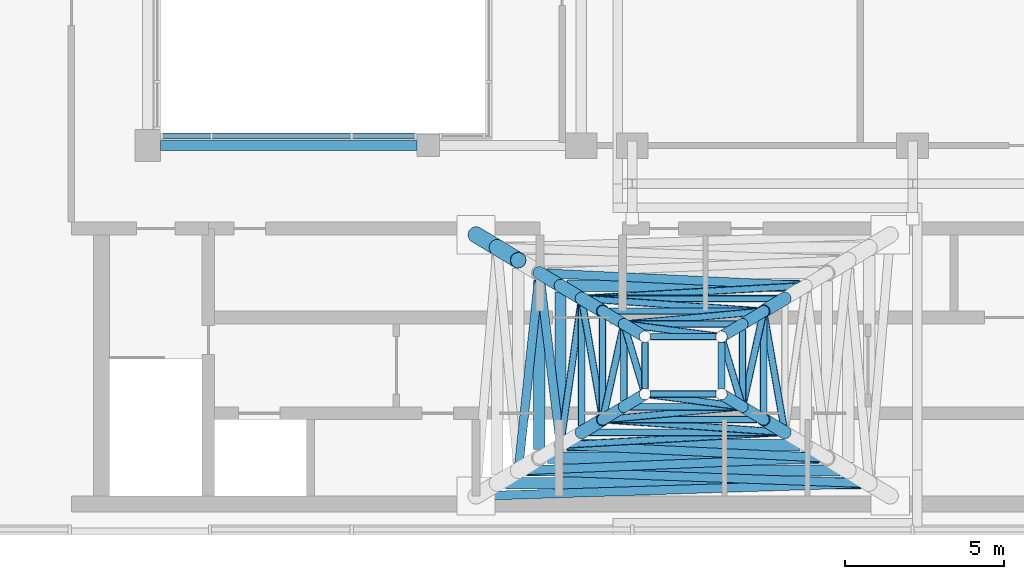
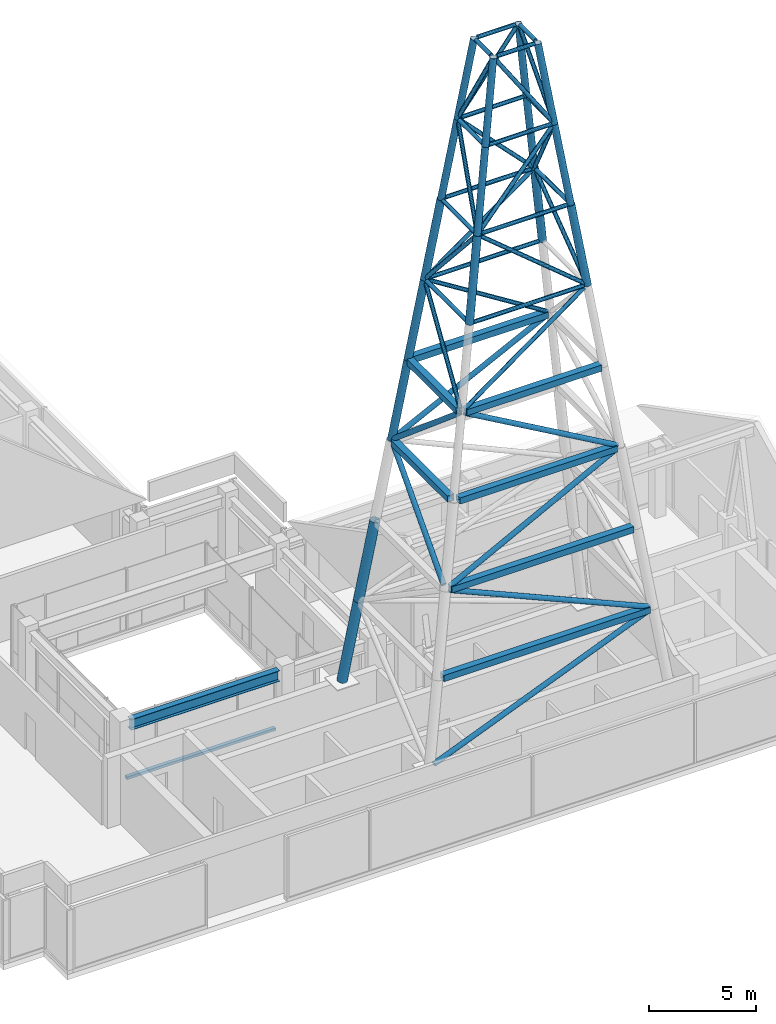
# One storey, part 3 of 13: 61 members, 1 beam, 1 element without a shape of its own.
"""IFC4 building model written with IfcOpenShell, lengths in metres."""

from ifc_helpers import new_model, si_unit, direction, frame, origin, origin_2d, place, context, subcontext, project, spatial, rectangle, hollow_rectangle, hollow_circle, i_section, extrude, material, material_profile, profile_set, type_object, element, aggregate, save


model = new_model("IFC4")

# Units and contexts
model_context = context("Model", 3, precision=1e-05, world=origin(), true_north=direction((0.0, 1.0)))
body_context = subcontext(model_context, "Body", "Model", "MODEL_VIEW")
ifc_project = project(units=[si_unit("LENGTHUNIT", "METRE"), si_unit("AREAUNIT", "SQUARE_METRE"), si_unit("VOLUMEUNIT", "CUBIC_METRE"), si_unit("PLANEANGLEUNIT", "RADIAN"), si_unit("MASSUNIT", "GRAM", prefix="KILO")], contexts=[model_context])

# Site, building, storey
site_placement = place(None, origin())
site = spatial("IfcSite", under=ifc_project, at=site_placement, CompositionType="ELEMENT")
building_placement = place(site_placement, origin())
building = spatial("IfcBuilding", under=site, at=building_placement, Name="Kemantara Hotel Tower", CompositionType="ELEMENT")
storey_placement = place(building_placement, frame((0.0, 0.0, 330.199951171875)))
storey = spatial("IfcBuildingStorey", under=building, at=storey_placement, Name="L83", CompositionType="ELEMENT", Elevation=330.199951171875)

# Curtain wall, member
ifc_material_1 = material(Name="Clear low-iron laminated glass 36 mm", Category="glass")
curtain_wall_type = type_object("IfcCurtainWallType", Name="ATRIUM GLAZING WALL", PredefinedType="USERDEFINED", material=ifc_material_1)
curtain_wall_placement = place(storey_placement, origin())
curtain_wall = element("IfcCurtainWall", 1, at=curtain_wall_placement, inside=storey, type_object=curtain_wall_type, Name="CW5 L83 ATR-R2-2", ObjectType="ATRIUM GLAZING WALL", PredefinedType="USERDEFINED")
ifc_material_2 = material(Name="Aluminium 6063-T6 bronze anodised", Category="aluminium")
ifc_material_profile_1 = material_profile(ifc_material_2, rectangle(XDim=0.199951171875, YDim=0.14990234375, at=origin_2d()), Name="ATRIUM GLAZING WALL TRANSOM")
ifc_profile_set_1 = profile_set([ifc_material_profile_1], Name="Aluminium 6063-T6 bronze anodised")
member_type_1 = type_object("IfcMemberType", Name="ATRIUM GLAZING WALL TRANSOM", PredefinedType="USERDEFINED", material=ifc_profile_set_1)
member_1_placement = place(storey_placement, frame((20.64990234375, 12.5, 0.074951171875), z_axis=(-1.0, 0.0, 0.0), x_axis=(0.0, -1.0, 0.0)))
member_1 = element("IfcMember", 2, at=member_1_placement, type_object=member_type_1, Name="CW5 sill transom ATR-R2-2", ObjectType="TRANSOM", PredefinedType="USERDEFINED", context=body_context, shape_type="SweptSolid", body=[
    extrude(rectangle(XDim=0.199951171875, YDim=0.14990234375, at=origin_2d()), origin(), (0.0, 0.0, 1.0), 8.0498046875),
])
aggregate(curtain_wall, [member_1])

# Beam
ifc_material_3 = material(Name="Steel ASTM A992 Grade 50", Category="steel")
ifc_material_profile_2 = material_profile(ifc_material_3, i_section(OverallWidth=0.324951171875, OverallDepth=0.612060546875, WebThickness=0.0126953125, FlangeThickness=0.01904296875, at=origin_2d()), Name="W610X155")
ifc_profile_set_2 = profile_set([ifc_material_profile_2], Name="Steel ASTM A992 Grade 50")
beam_type = type_object("IfcBeamType", Name="ATRIUM ROOF GIRDER W610X155", PredefinedType="BEAM", material=ifc_profile_set_2)
beam_placement = place(storey_placement, frame((12.60009765625, 12.199951171875, 3.343994140625), z_axis=(1.0, 0.0, 0.0), x_axis=(0.0, 1.0, 0.0)))
element("IfcBeam", 3, at=beam_placement, inside=storey, type_object=beam_type, Name="ATRIUM ROOF GIRDER 1-1", PredefinedType="BEAM", context=body_context, shape_type="SweptSolid", body=[
    extrude(i_section(OverallWidth=0.324951171875, OverallDepth=0.612060546875, WebThickness=0.0126953125, FlangeThickness=0.01904296875, at=origin_2d()), origin(), (0.0, 0.0, 1.0), 8.0498046875),
])

# Members
ifc_material_4 = material(Name="Steel ASTM A500 Grade C", Category="steel")
ifc_material_profile_3 = material_profile(ifc_material_4, hollow_circle(Radius=0.109619140625, WallThickness=0.0126953125, at=origin_2d()), Name="HSS219.1X12.7")
ifc_profile_set_3 = profile_set([ifc_material_profile_3], Name="Steel ASTM A500 Grade C")
member_type_2 = type_object("IfcMemberType", Name="MAST BRACE HSS219.1X12.7", PredefinedType="BRACE", material=ifc_profile_set_3)
for number, where, z_axis, x_axis, name in (
    (4, (25.31982421875, 2.8095703125, 22.581298828125), (0.835822969505, 0.047528024802, 0.546937885418), (-0.056772034018, 0.998387167462, 0.0), "MAST BRACE 1 PANEL 5"),
    (5, (32.68017578125, 7.790283203125, 22.581298828125), (-0.835824179409, -0.047497626875, 0.546938677144), (0.056735758871, -0.998389229542, 0.0), "MAST BRACE 3 PANEL 5"),
):
    element("IfcMember", number, at=place(storey_placement, frame(where, z_axis=z_axis, x_axis=x_axis)), inside=storey, type_object=member_type_2, Name=name, PredefinedType="BRACE", context=body_context, shape_type="SweptSolid", body=[
        extrude(hollow_circle(Radius=0.109619140625, WallThickness=0.0126953125, at=origin_2d()), origin(), (0.0, 0.0, 1.0), 8.013427734375),
    ])
member_2_placement = place(storey_placement, frame((25.170654296875, 2.94287109375, 22.61328125), z_axis=(0.101257678555, 0.703074435264, 0.703870173406), x_axis=(-0.989787535165, 0.142550465565, 0.0)))
element("IfcMember", 6, at=member_2_placement, inside=storey, type_object=member_type_2, Name="MAST BRACE 4 PANEL 5", PredefinedType="BRACE", context=body_context, shape_type="SweptSolid", body=[
    extrude(hollow_circle(Radius=0.109619140625, WallThickness=0.0126953125, at=origin_2d()), origin(), (0.0, 0.0, 1.0), 6.13623046875),
])
member_3_placement = place(storey_placement, frame((32.029541015625, 3.211181640625, 27.20263671875), z_axis=(-0.777377064171, 0.054406547153, 0.62667761068), x_axis=(-0.069816552831, -0.997559847303, 0.0)))
element("IfcMember", 7, at=member_3_placement, inside=storey, type_object=member_type_2, Name="MAST BRACE 1 PANEL 6", PredefinedType="BRACE", context=body_context, shape_type="SweptSolid", body=[
    extrude(hollow_circle(Radius=0.109619140625, WallThickness=0.0126953125, at=origin_2d()), origin(), (0.0, 0.0, 1.0), 6.94189453125),
])
member_4_placement = place(storey_placement, frame((32.1650390625, 3.32861328125, 27.231201171875), z_axis=(-0.11028835497, 0.632566924494, 0.766613047629), x_axis=(-0.985138918787, -0.171759455898, 0.0)))
element("IfcMember", 8, at=member_4_placement, inside=storey, type_object=member_type_2, Name="MAST BRACE 2 PANEL 6", PredefinedType="BRACE", context=body_context, shape_type="SweptSolid", body=[
    extrude(hollow_circle(Radius=0.109619140625, WallThickness=0.0126953125, at=origin_2d()), origin(), (0.0, 0.0, 1.0), 5.6005859375),
])
member_5_placement = place(storey_placement, frame((25.970458984375, 7.388916015625, 27.20263671875), z_axis=(0.77737557624, -0.054441612017, 0.626676411194), x_axis=(0.069861462924, 0.997556703149, 0.0)))
element("IfcMember", 9, at=member_5_placement, inside=storey, type_object=member_type_2, Name="MAST BRACE 3 PANEL 6", PredefinedType="BRACE", context=body_context, shape_type="SweptSolid", body=[
    extrude(hollow_circle(Radius=0.109619140625, WallThickness=0.0126953125, at=origin_2d()), origin(), (0.0, 0.0, 1.0), 6.94189453125),
])
member_6_placement = place(storey_placement, frame((25.8349609375, 7.271484375, 27.231201171875), z_axis=(0.110285313789, -0.63259307261, 0.766591908415), x_axis=(0.985140921404, 0.171747969346, 0.0)))
element("IfcMember", 10, at=member_6_placement, inside=storey, type_object=member_type_2, Name="MAST BRACE 4 PANEL 6", PredefinedType="BRACE", context=body_context, shape_type="SweptSolid", body=[
    extrude(hollow_circle(Radius=0.109619140625, WallThickness=0.0126953125, at=origin_2d()), origin(), (0.0, 0.0, 1.0), 5.6005859375),
])
member_7_placement = place(storey_placement, frame((26.597412109375, 3.611083984375, 31.808837890625), z_axis=(0.688425074834, 0.062764827367, 0.72258666801), x_axis=(-0.090795041921, 0.995869600079, 0.0)))
element("IfcMember", 11, at=member_7_placement, inside=storey, type_object=member_type_2, Name="MAST BRACE 1 PANEL 7", PredefinedType="BRACE", context=body_context, shape_type="SweptSolid", body=[
    extrude(hollow_circle(Radius=0.109619140625, WallThickness=0.0126953125, at=origin_2d()), origin(), (0.0, 0.0, 1.0), 6.017578125),
])
member_8_placement = place(storey_placement, frame((31.503662109375, 6.903564453125, 31.828369140625), z_axis=(-0.119666604135, -0.541916744524, 0.831869067738), x_axis=(0.976475936, -0.215626404723, 0.0)))
element("IfcMember", 12, at=member_8_placement, inside=storey, type_object=member_type_2, Name="MAST BRACE 2 PANEL 7", PredefinedType="BRACE", context=body_context, shape_type="SweptSolid", body=[
    extrude(hollow_circle(Radius=0.109619140625, WallThickness=0.0126953125, at=origin_2d()), origin(), (0.0, 0.0, 1.0), 5.179931640625),
])
member_9_placement = place(storey_placement, frame((31.402587890625, 6.98876953125, 31.808837890625), z_axis=(-0.688425074834, -0.062764827367, 0.72258666801), x_axis=(0.090795041921, -0.995869600079, 0.0)))
element("IfcMember", 13, at=member_9_placement, inside=storey, type_object=member_type_2, Name="MAST BRACE 3 PANEL 7", PredefinedType="BRACE", context=body_context, shape_type="SweptSolid", body=[
    extrude(hollow_circle(Radius=0.109619140625, WallThickness=0.0126953125, at=origin_2d()), origin(), (0.0, 0.0, 1.0), 6.017578125),
])
member_10_placement = place(storey_placement, frame((26.496337890625, 3.6962890625, 31.828369140625), z_axis=(0.11966354768, 0.541950033388, 0.831847820619), x_axis=(-0.976479884108, 0.21560852472, 0.0)))
element("IfcMember", 14, at=member_10_placement, inside=storey, type_object=member_type_2, Name="MAST BRACE 4 PANEL 7", PredefinedType="BRACE", context=body_context, shape_type="SweptSolid", body=[
    extrude(hollow_circle(Radius=0.109619140625, WallThickness=0.0126953125, at=origin_2d()), origin(), (0.0, 0.0, 1.0), 5.18017578125),
])
member_11_placement = place(storey_placement, frame((30.764404296875, 4.012939453125, 36.43310546875), z_axis=(-0.552321631774, 0.072121725853, 0.83050543149), x_axis=(-0.129480004832, -0.991582033091, 0.0)))
element("IfcMember", 15, at=member_11_placement, inside=storey, type_object=member_type_2, Name="MAST BRACE 1 PANEL 8", PredefinedType="BRACE", context=body_context, shape_type="SweptSolid", body=[
    extrude(hollow_circle(Radius=0.109619140625, WallThickness=0.0126953125, at=origin_2d()), origin(), (0.0, 0.0, 1.0), 5.189453125),
])
member_12_placement = place(storey_placement, frame((30.839599609375, 4.075927734375, 36.444580078125), z_axis=(-0.128724430331, 0.427501680935, 0.894802958105), x_axis=(-0.957533629599, -0.28832160548, 0.0)))
element("IfcMember", 16, at=member_12_placement, inside=storey, type_object=member_type_2, Name="MAST BRACE 2 PANEL 8", PredefinedType="BRACE", context=body_context, shape_type="SweptSolid", body=[
    extrude(hollow_circle(Radius=0.109619140625, WallThickness=0.0126953125, at=origin_2d()), origin(), (0.0, 0.0, 1.0), 4.790771484375),
])
member_13_placement = place(storey_placement, frame((27.235595703125, 6.587158203125, 36.43310546875), z_axis=(0.552321631774, -0.072121725853, 0.83050543149), x_axis=(0.129480004832, 0.991582033091, 0.0)))
element("IfcMember", 17, at=member_13_placement, inside=storey, type_object=member_type_2, Name="MAST BRACE 3 PANEL 8", PredefinedType="BRACE", context=body_context, shape_type="SweptSolid", body=[
    extrude(hollow_circle(Radius=0.109619140625, WallThickness=0.0126953125, at=origin_2d()), origin(), (0.0, 0.0, 1.0), 5.189453125),
])
member_14_placement = place(storey_placement, frame((27.160400390625, 6.52392578125, 36.444580078125), z_axis=(0.128727234568, -0.427460033078, 0.894822451217), x_axis=(0.957524139529, 0.288353120702, 0.0)))
element("IfcMember", 18, at=member_14_placement, inside=storey, type_object=member_type_2, Name="MAST BRACE 4 PANEL 8", PredefinedType="BRACE", context=body_context, shape_type="SweptSolid", body=[
    extrude(hollow_circle(Radius=0.109619140625, WallThickness=0.0126953125, at=origin_2d()), origin(), (0.0, 0.0, 1.0), 4.790771484375),
])
ifc_material_profile_4 = material_profile(ifc_material_4, hollow_circle(Radius=0.136474609375, WallThickness=0.0126953125, at=origin_2d()), Name="HSS273.1X12.7")
ifc_profile_set_4 = profile_set([ifc_material_profile_4], Name="Steel ASTM A500 Grade C")
member_type_3 = type_object("IfcMemberType", Name="MAST BRACE HSS273.1X12.7", PredefinedType="BRACE", material=ifc_profile_set_4)
member_15_placement = place(storey_placement, frame((22.73779296875, 1.207763671875, 4.138916015625), z_axis=(0.936433595645, 0.030356129608, 0.349529149488), x_axis=(-0.032399726483, 0.999474991045, 0.0)))
element("IfcMember", 19, at=member_15_placement, inside=storey, type_object=member_type_3, Name="MAST BRACE 1 PANEL 1", PredefinedType="BRACE", context=body_context, shape_type="SweptSolid", body=[
    extrude(hollow_circle(Radius=0.136474609375, WallThickness=0.0126953125, at=origin_2d()), origin(), (0.0, 0.0, 1.0), 12.6669921875),
])
member_16_placement = place(storey_placement, frame((34.603271484375, 1.6083984375, 8.7529296875), z_axis=(-0.922065420584, 0.033498208875, 0.385581677683), x_axis=(-0.036305585188, -0.999340734927, 0.0)))
element("IfcMember", 20, at=member_16_placement, inside=storey, type_object=member_type_3, Name="MAST BRACE 1 PANEL 2", PredefinedType="BRACE", context=body_context, shape_type="SweptSolid", body=[
    extrude(hollow_circle(Radius=0.136474609375, WallThickness=0.0126953125, at=origin_2d()), origin(), (0.0, 0.0, 1.0), 11.43505859375),
])
member_17_placement = place(storey_placement, frame((24.05419921875, 2.009521484375, 13.369140625), z_axis=(0.902519933262, 0.037268758685, 0.429032411003), x_axis=(-0.041258948951, 0.999148487029, 0.0)))
element("IfcMember", 21, at=member_17_placement, inside=storey, type_object=member_type_3, Name="MAST BRACE 1 PANEL 3", PredefinedType="BRACE", context=body_context, shape_type="SweptSolid", body=[
    extrude(hollow_circle(Radius=0.136474609375, WallThickness=0.0126953125, at=origin_2d()), origin(), (0.0, 0.0, 1.0), 10.225830078125),
])
member_18_placement = place(storey_placement, frame((23.8466796875, 2.203125, 13.4111328125), z_axis=(0.085475550633, 0.799850272896, 0.594082040793), x_axis=(-0.994338441247, 0.10625941962, 0.0)))
element("IfcMember", 22, at=member_18_placement, inside=storey, type_object=member_type_3, Name="MAST BRACE 4 PANEL 3", PredefinedType="BRACE", context=body_context, shape_type="SweptSolid", body=[
    extrude(hollow_circle(Radius=0.136474609375, WallThickness=0.0126953125, at=origin_2d()), origin(), (0.0, 0.0, 1.0), 7.243408203125),
])
for number, where, z_axis, x_axis, name in (
    (23, (33.334716796875, 2.408447265625, 17.963134765625), (-0.875197227129, 0.041870485711, 0.481950906268), (-0.047786544947, -0.998857570488, 0.0), "MAST BRACE 1 PANEL 4"),
    (24, (24.665283203125, 8.19140625, 17.963134765625), (0.875198204729, -0.041843846354, 0.481951444609), (0.047756157742, 0.998859023786, 0.0), "MAST BRACE 3 PANEL 4"),
):
    element("IfcMember", number, at=place(storey_placement, frame(where, z_axis=z_axis, x_axis=x_axis)), inside=storey, type_object=member_type_3, Name=name, PredefinedType="BRACE", context=body_context, shape_type="SweptSolid", body=[
        extrude(hollow_circle(Radius=0.136474609375, WallThickness=0.0126953125, at=origin_2d()), origin(), (0.0, 0.0, 1.0), 9.148681640625),
    ])
member_19_placement = place(storey_placement, frame((24.50634765625, 8.046142578125, 17.99658203125), z_axis=(0.092948168292, -0.757605664024, 0.64606059766), x_axis=(0.992557891615, 0.121773690893, 0.0)))
element("IfcMember", 25, at=member_19_placement, inside=storey, type_object=member_type_3, Name="MAST BRACE 4 PANEL 4", PredefinedType="BRACE", context=body_context, shape_type="SweptSolid", body=[
    extrude(hollow_circle(Radius=0.136474609375, WallThickness=0.0126953125, at=origin_2d()), origin(), (0.0, 0.0, 1.0), 6.721435546875),
])
ifc_material_profile_5 = material_profile(ifc_material_4, hollow_circle(Radius=0.177734375, WallThickness=0.0126953125, at=origin_2d()), Name="HSS355.6X12.7")
ifc_profile_set_5 = profile_set([ifc_material_profile_5], Name="Steel ASTM A500 Grade C")
member_type_4 = type_object("IfcMemberType", Name="MAST LEG HSS355.6X12.7", PredefinedType="POST", material=ifc_profile_set_5)
for number, where, z_axis, x_axis, name in (
    (26, (26.47509765625, 3.60009765625, 31.680419921875), (0.141845965247, 0.085640873968, 0.986177145775), (-0.516860372783, 0.856069713894, 0.0), "MAST LEG 1 PANEL 7"),
    (27, (31.52490234375, 3.60009765625, 31.680419921875), (-0.141845965247, 0.085640873968, 0.986177145775), (-0.516860372783, -0.856069713894, 0.0), "MAST LEG 2 PANEL 7"),
    (28, (31.52490234375, 7.0, 31.680419921875), (-0.141845965247, -0.085640873968, 0.986177145775), (0.516860372783, -0.856069713894, 0.0), "MAST LEG 3 PANEL 7"),
    (29, (26.47509765625, 7.0, 31.680419921875), (0.141845965247, -0.085640873968, 0.986177145775), (0.516860372783, 0.856069713894, 0.0), "MAST LEG 4 PANEL 7"),
):
    element("IfcMember", number, at=place(storey_placement, frame(where, z_axis=z_axis, x_axis=x_axis)), inside=storey, type_object=member_type_4, Name=name, PredefinedType="POST", context=body_context, shape_type="SweptSolid", body=[
        extrude(hollow_circle(Radius=0.177734375, WallThickness=0.0126953125, at=origin_2d()), origin(), (0.0, 0.0, 1.0), 4.66943359375),
    ])
for number, where, z_axis, x_axis, name in (
    (30, (27.137451171875, 4.0, 36.285400390625), (0.141897196518, 0.085640238724, 0.986169830775), (-0.516720785523, 0.856153975525, 0.0), "MAST LEG 1 PANEL 8"),
    (31, (30.862548828125, 4.0, 36.285400390625), (-0.141897196518, 0.085640238724, 0.986169830775), (-0.516720785523, -0.856153975525, 0.0), "MAST LEG 2 PANEL 8"),
    (32, (30.862548828125, 6.60009765625, 36.285400390625), (-0.141896560975, -0.085692138334, 0.986165413818), (0.516951959847, -0.856014410632, 0.0), "MAST LEG 3 PANEL 8"),
    (33, (27.137451171875, 6.60009765625, 36.285400390625), (0.141896560975, -0.085692138334, 0.986165413818), (0.516951959847, 0.856014410632, 0.0), "MAST LEG 4 PANEL 8"),
):
    element("IfcMember", number, at=place(storey_placement, frame(where, z_axis=z_axis, x_axis=x_axis)), inside=storey, type_object=member_type_4, Name=name, PredefinedType="POST", context=body_context, shape_type="SweptSolid", body=[
        extrude(hollow_circle(Radius=0.177734375, WallThickness=0.0126953125, at=origin_2d()), origin(), (0.0, 0.0, 1.0), 4.669677734375),
    ])
ifc_material_profile_6 = material_profile(ifc_material_4, hollow_circle(Radius=0.203125, WallThickness=0.0126953125, at=origin_2d()), Name="HSS406.4X12.7")
ifc_profile_set_6 = profile_set([ifc_material_profile_6], Name="Steel ASTM A500 Grade C")
member_type_5 = type_object("IfcMemberType", Name="MAST LEG HSS406.4X12.7", PredefinedType="POST", material=ifc_profile_set_6)
member_20_placement = place(storey_placement, frame((24.487548828125, 8.199951171875, 17.865234375), z_axis=(0.141845965247, -0.085640873968, 0.986177145775), x_axis=(0.516860372783, 0.856069713894, 0.0)))
element("IfcMember", 34, at=member_20_placement, inside=storey, type_object=member_type_5, Name="MAST LEG 4 PANEL 4", PredefinedType="POST", context=body_context, shape_type="SweptSolid", body=[
    extrude(hollow_circle(Radius=0.203125, WallThickness=0.0126953125, at=origin_2d()), origin(), (0.0, 0.0, 1.0), 4.66943359375),
])
member_21_placement = place(storey_placement, frame((25.14990234375, 7.800048828125, 22.47021484375), z_axis=(0.141889245179, -0.085687720283, 0.986166850333), x_axis=(0.516951959847, 0.856014410632, 0.0)))
element("IfcMember", 35, at=member_21_placement, inside=storey, type_object=member_type_5, Name="MAST LEG 4 PANEL 5", PredefinedType="POST", context=body_context, shape_type="SweptSolid", body=[
    extrude(hollow_circle(Radius=0.203125, WallThickness=0.0126953125, at=origin_2d()), origin(), (0.0, 0.0, 1.0), 4.669921875),
])
for number, where, z_axis, x_axis, name in (
    (36, (25.8125, 3.199951171875, 27.075439453125), (0.141896560975, 0.085692138334, 0.986165413818), (-0.516951959847, 0.856014410632, 0.0), "MAST LEG 1 PANEL 6"),
    (37, (32.1875, 3.199951171875, 27.075439453125), (-0.141896560975, 0.085692138334, 0.986165413818), (-0.516951959847, -0.856014410632, 0.0), "MAST LEG 2 PANEL 6"),
    (38, (32.1875, 7.39990234375, 27.075439453125), (-0.141897196518, -0.085640238724, 0.986169830775), (0.516720785523, -0.856153975525, 0.0), "MAST LEG 3 PANEL 6"),
    (39, (25.8125, 7.39990234375, 27.075439453125), (0.141897196518, -0.085640238724, 0.986169830775), (0.516720785523, 0.856153975525, 0.0), "MAST LEG 4 PANEL 6"),
):
    element("IfcMember", number, at=place(storey_placement, frame(where, z_axis=z_axis, x_axis=x_axis)), inside=storey, type_object=member_type_5, Name=name, PredefinedType="POST", context=body_context, shape_type="SweptSolid", body=[
        extrude(hollow_circle(Radius=0.203125, WallThickness=0.0126953125, at=origin_2d()), origin(), (0.0, 0.0, 1.0), 4.669677734375),
    ])
ifc_material_profile_7 = material_profile(ifc_material_4, hollow_circle(Radius=0.25390625, WallThickness=0.0126953125, at=origin_2d()), Name="HSS508X12.7")
ifc_profile_set_7 = profile_set([ifc_material_profile_7], Name="Steel ASTM A500 Grade C")
member_type_6 = type_object("IfcMemberType", Name="MAST LEG HSS508X12.7", PredefinedType="POST", material=ifc_profile_set_7)
for number, where, z_axis, x_axis, name in (
    (40, (22.5, 9.39990234375, 4.050048828125), (0.141897196518, -0.085640238724, 0.986169830775), (0.516720785523, 0.856153975525, 0.0), "MAST LEG 4 PANEL 1"),
    (41, (23.16259765625, 9.0, 8.655029296875), (0.141838651886, -0.085636458455, 0.986178581097), (0.516860372783, 0.856069713894, 0.0), "MAST LEG 4 PANEL 2"),
):
    element("IfcMember", number, at=place(storey_placement, frame(where, z_axis=z_axis, x_axis=x_axis)), inside=storey, type_object=member_type_6, Name=name, PredefinedType="POST", context=body_context, shape_type="SweptSolid", body=[
        extrude(hollow_circle(Radius=0.25390625, WallThickness=0.0126953125, at=origin_2d()), origin(), (0.0, 0.0, 1.0), 4.669677734375),
    ])
ifc_material_profile_8 = material_profile(ifc_material_4, hollow_circle(Radius=0.109619140625, WallThickness=0.0126953125, at=origin_2d()), Name="HSS219.1X12.7")
ifc_profile_set_8 = profile_set([ifc_material_profile_8], Name="Steel ASTM A500 Grade C")
member_type_7 = type_object("IfcMemberType", Name="MAST STRUT HSS219.1X12.7", PredefinedType="STRUT", material=ifc_profile_set_8)
for number, where, z_axis, x_axis, name in (
    (42, (26.015625, 3.199951171875, 27.075439453125), (1.0, 0.0, 0.0), (0.0, 1.0, 0.0), "MAST STRUT 1 LEVEL 5"),
    (43, (31.984375, 7.39990234375, 27.075439453125), (-1.0, 0.0, 0.0), (0.0, -1.0, 0.0), "MAST STRUT 3 LEVEL 5"),
):
    element("IfcMember", number, at=place(storey_placement, frame(where, z_axis=z_axis, x_axis=x_axis)), inside=storey, type_object=member_type_7, Name=name, PredefinedType="STRUT", context=body_context, shape_type="SweptSolid", body=[
        extrude(hollow_circle(Radius=0.109619140625, WallThickness=0.0126953125, at=origin_2d()), origin(), (0.0, 0.0, 1.0), 5.96875),
    ])
member_22_placement = place(storey_placement, frame((25.8125, 7.19677734375, 27.075439453125), z_axis=(0.0, -1.0, 0.0), x_axis=(1.0, 0.0, 0.0)))
element("IfcMember", 44, at=member_22_placement, inside=storey, type_object=member_type_7, Name="MAST STRUT 4 LEVEL 5", PredefinedType="STRUT", context=body_context, shape_type="SweptSolid", body=[
    extrude(hollow_circle(Radius=0.109619140625, WallThickness=0.0126953125, at=origin_2d()), origin(), (0.0, 0.0, 1.0), 3.79345703125),
])
member_23_placement = place(storey_placement, frame((26.67822265625, 3.60009765625, 31.680419921875), z_axis=(1.0, 0.0, 0.0), x_axis=(0.0, 1.0, 0.0)))
element("IfcMember", 45, at=member_23_placement, inside=storey, type_object=member_type_7, Name="MAST STRUT 1 LEVEL 6", PredefinedType="STRUT", context=body_context, shape_type="SweptSolid", body=[
    extrude(hollow_circle(Radius=0.109619140625, WallThickness=0.0126953125, at=origin_2d()), origin(), (0.0, 0.0, 1.0), 4.6435546875),
])
member_24_placement = place(storey_placement, frame((31.52490234375, 3.80322265625, 31.680419921875), z_axis=(0.0, 1.0, 0.0), x_axis=(-1.0, 0.0, 0.0)))
element("IfcMember", 46, at=member_24_placement, inside=storey, type_object=member_type_7, Name="MAST STRUT 2 LEVEL 6", PredefinedType="STRUT", context=body_context, shape_type="SweptSolid", body=[
    extrude(hollow_circle(Radius=0.109619140625, WallThickness=0.0126953125, at=origin_2d()), origin(), (0.0, 0.0, 1.0), 2.99365234375),
])
member_25_placement = place(storey_placement, frame((31.32177734375, 7.0, 31.680419921875), z_axis=(-1.0, 0.0, 0.0), x_axis=(0.0, -1.0, 0.0)))
element("IfcMember", 47, at=member_25_placement, inside=storey, type_object=member_type_7, Name="MAST STRUT 3 LEVEL 6", PredefinedType="STRUT", context=body_context, shape_type="SweptSolid", body=[
    extrude(hollow_circle(Radius=0.109619140625, WallThickness=0.0126953125, at=origin_2d()), origin(), (0.0, 0.0, 1.0), 4.6435546875),
])
member_26_placement = place(storey_placement, frame((26.47509765625, 6.796875, 31.680419921875), z_axis=(0.0, -1.0, 0.0), x_axis=(1.0, 0.0, 0.0)))
element("IfcMember", 48, at=member_26_placement, inside=storey, type_object=member_type_7, Name="MAST STRUT 4 LEVEL 6", PredefinedType="STRUT", context=body_context, shape_type="SweptSolid", body=[
    extrude(hollow_circle(Radius=0.109619140625, WallThickness=0.0126953125, at=origin_2d()), origin(), (0.0, 0.0, 1.0), 2.99365234375),
])
member_27_placement = place(storey_placement, frame((27.315185546875, 4.0, 36.285400390625), z_axis=(1.0, 0.0, 0.0), x_axis=(0.0, 1.0, 0.0)))
element("IfcMember", 49, at=member_27_placement, inside=storey, type_object=member_type_7, Name="MAST STRUT 1 LEVEL 7", PredefinedType="STRUT", context=body_context, shape_type="SweptSolid", body=[
    extrude(hollow_circle(Radius=0.109619140625, WallThickness=0.0126953125, at=origin_2d()), origin(), (0.0, 0.0, 1.0), 3.36962890625),
])
member_28_placement = place(storey_placement, frame((30.862548828125, 4.177734375, 36.285400390625), z_axis=(0.0, 1.0, 0.0), x_axis=(-1.0, 0.0, 0.0)))
element("IfcMember", 50, at=member_28_placement, inside=storey, type_object=member_type_7, Name="MAST STRUT 2 LEVEL 7", PredefinedType="STRUT", context=body_context, shape_type="SweptSolid", body=[
    extrude(hollow_circle(Radius=0.109619140625, WallThickness=0.0126953125, at=origin_2d()), origin(), (0.0, 0.0, 1.0), 2.244384765625),
])
member_29_placement = place(storey_placement, frame((30.684814453125, 6.60009765625, 36.285400390625), z_axis=(-1.0, 0.0, 0.0), x_axis=(0.0, -1.0, 0.0)))
element("IfcMember", 51, at=member_29_placement, inside=storey, type_object=member_type_7, Name="MAST STRUT 3 LEVEL 7", PredefinedType="STRUT", context=body_context, shape_type="SweptSolid", body=[
    extrude(hollow_circle(Radius=0.109619140625, WallThickness=0.0126953125, at=origin_2d()), origin(), (0.0, 0.0, 1.0), 3.36962890625),
])
member_30_placement = place(storey_placement, frame((27.137451171875, 6.422119140625, 36.285400390625), z_axis=(0.0, -1.0, 0.0), x_axis=(1.0, 0.0, 0.0)))
element("IfcMember", 52, at=member_30_placement, inside=storey, type_object=member_type_7, Name="MAST STRUT 4 LEVEL 7", PredefinedType="STRUT", context=body_context, shape_type="SweptSolid", body=[
    extrude(hollow_circle(Radius=0.109619140625, WallThickness=0.0126953125, at=origin_2d()), origin(), (0.0, 0.0, 1.0), 2.244384765625),
])
member_31_placement = place(storey_placement, frame((27.977783203125, 4.39990234375, 40.890380859375), z_axis=(1.0, 0.0, 0.0), x_axis=(0.0, 1.0, 0.0)))
element("IfcMember", 53, at=member_31_placement, inside=storey, type_object=member_type_7, Name="MAST STRUT 1 LEVEL 8", PredefinedType="STRUT", context=body_context, shape_type="SweptSolid", body=[
    extrude(hollow_circle(Radius=0.109619140625, WallThickness=0.0126953125, at=origin_2d()), origin(), (0.0, 0.0, 1.0), 2.04443359375),
])
member_32_placement = place(storey_placement, frame((30.199951171875, 4.577880859375, 40.890380859375), z_axis=(0.0, 1.0, 0.0), x_axis=(-1.0, 0.0, 0.0)))
element("IfcMember", 54, at=member_32_placement, inside=storey, type_object=member_type_7, Name="MAST STRUT 2 LEVEL 8", PredefinedType="STRUT", context=body_context, shape_type="SweptSolid", body=[
    extrude(hollow_circle(Radius=0.109619140625, WallThickness=0.0126953125, at=origin_2d()), origin(), (0.0, 0.0, 1.0), 1.4443359375),
])
member_33_placement = place(storey_placement, frame((30.022216796875, 6.199951171875, 40.890380859375), z_axis=(-1.0, 0.0, 0.0), x_axis=(0.0, -1.0, 0.0)))
element("IfcMember", 55, at=member_33_placement, inside=storey, type_object=member_type_7, Name="MAST STRUT 3 LEVEL 8", PredefinedType="STRUT", context=body_context, shape_type="SweptSolid", body=[
    extrude(hollow_circle(Radius=0.109619140625, WallThickness=0.0126953125, at=origin_2d()), origin(), (0.0, 0.0, 1.0), 2.04443359375),
])
member_34_placement = place(storey_placement, frame((27.800048828125, 6.022216796875, 40.890380859375), z_axis=(0.0, -1.0, 0.0), x_axis=(1.0, 0.0, 0.0)))
element("IfcMember", 56, at=member_34_placement, inside=storey, type_object=member_type_7, Name="MAST STRUT 4 LEVEL 8", PredefinedType="STRUT", context=body_context, shape_type="SweptSolid", body=[
    extrude(hollow_circle(Radius=0.109619140625, WallThickness=0.0126953125, at=origin_2d()), origin(), (0.0, 0.0, 1.0), 1.4443359375),
])
ifc_material_profile_9 = material_profile(ifc_material_4, hollow_rectangle(XDim=0.355712890625, YDim=0.355712890625, WallThickness=0.0126953125, at=origin_2d()), Name="HSS355.6X355.6X12.7")
ifc_profile_set_9 = profile_set([ifc_material_profile_9], Name="Steel ASTM A500 Grade C")
member_type_8 = type_object("IfcMemberType", Name="MAST STRUT HSS355.6X355.6X12.7", PredefinedType="STRUT", material=ifc_profile_set_9)
member_35_placement = place(storey_placement, frame((23.41650390625, 1.60009765625, 8.655029296875), z_axis=(1.0, 0.0, 0.0), x_axis=(0.0, 1.0, 0.0)))
element("IfcMember", 57, at=member_35_placement, inside=storey, type_object=member_type_8, Name="MAST STRUT 1 LEVEL 1", PredefinedType="STRUT", context=body_context, shape_type="SweptSolid", body=[
    extrude(hollow_rectangle(XDim=0.355712890625, YDim=0.355712890625, WallThickness=0.0126953125, at=origin_2d()), origin(), (0.0, 0.0, 1.0), 11.1669921875),
])
member_36_placement = place(storey_placement, frame((24.0791015625, 2.0, 13.26025390625), z_axis=(1.0, 0.0, 0.0), x_axis=(0.0, 1.0, 0.0)))
element("IfcMember", 58, at=member_36_placement, inside=storey, type_object=member_type_8, Name="MAST STRUT 1 LEVEL 2", PredefinedType="STRUT", context=body_context, shape_type="SweptSolid", body=[
    extrude(hollow_rectangle(XDim=0.355712890625, YDim=0.355712890625, WallThickness=0.0126953125, at=origin_2d()), origin(), (0.0, 0.0, 1.0), 9.841796875),
])
member_37_placement = place(storey_placement, frame((24.741455078125, 2.39990234375, 17.865234375), z_axis=(1.0, 0.0, 0.0), x_axis=(0.0, 1.0, 0.0)))
element("IfcMember", 59, at=member_37_placement, inside=storey, type_object=member_type_8, Name="MAST STRUT 1 LEVEL 3", PredefinedType="STRUT", context=body_context, shape_type="SweptSolid", body=[
    extrude(hollow_rectangle(XDim=0.355712890625, YDim=0.355712890625, WallThickness=0.0126953125, at=origin_2d()), origin(), (0.0, 0.0, 1.0), 8.51708984375),
])
member_38_placement = place(storey_placement, frame((24.487548828125, 7.946044921875, 17.865234375), z_axis=(0.0, -1.0, 0.0), x_axis=(1.0, 0.0, 0.0)))
element("IfcMember", 60, at=member_38_placement, inside=storey, type_object=member_type_8, Name="MAST STRUT 4 LEVEL 3", PredefinedType="STRUT", context=body_context, shape_type="SweptSolid", body=[
    extrude(hollow_rectangle(XDim=0.355712890625, YDim=0.355712890625, WallThickness=0.0126953125, at=origin_2d()), origin(), (0.0, 0.0, 1.0), 5.2919921875),
])
for number, where, z_axis, x_axis, name in (
    (61, (25.353271484375, 2.800048828125, 22.47021484375), (1.0, 0.0, 0.0), (0.0, 1.0, 0.0), "MAST STRUT 1 LEVEL 4"),
    (62, (32.646728515625, 7.800048828125, 22.47021484375), (-1.0, 0.0, 0.0), (0.0, -1.0, 0.0), "MAST STRUT 3 LEVEL 4"),
):
    element("IfcMember", number, at=place(storey_placement, frame(where, z_axis=z_axis, x_axis=x_axis)), inside=storey, type_object=member_type_8, Name=name, PredefinedType="STRUT", context=body_context, shape_type="SweptSolid", body=[
        extrude(hollow_rectangle(XDim=0.355712890625, YDim=0.355712890625, WallThickness=0.0126953125, at=origin_2d()), origin(), (0.0, 0.0, 1.0), 7.29345703125),
    ])
member_39_placement = place(storey_placement, frame((25.14990234375, 7.5966796875, 22.47021484375), z_axis=(0.0, -1.0, 0.0), x_axis=(1.0, 0.0, 0.0)))
element("IfcMember", 63, at=member_39_placement, inside=storey, type_object=member_type_8, Name="MAST STRUT 4 LEVEL 4", PredefinedType="STRUT", context=body_context, shape_type="SweptSolid", body=[
    extrude(hollow_rectangle(XDim=0.355712890625, YDim=0.355712890625, WallThickness=0.0126953125, at=origin_2d()), origin(), (0.0, 0.0, 1.0), 4.593505859375),
])

save(model, "model.ifc")
